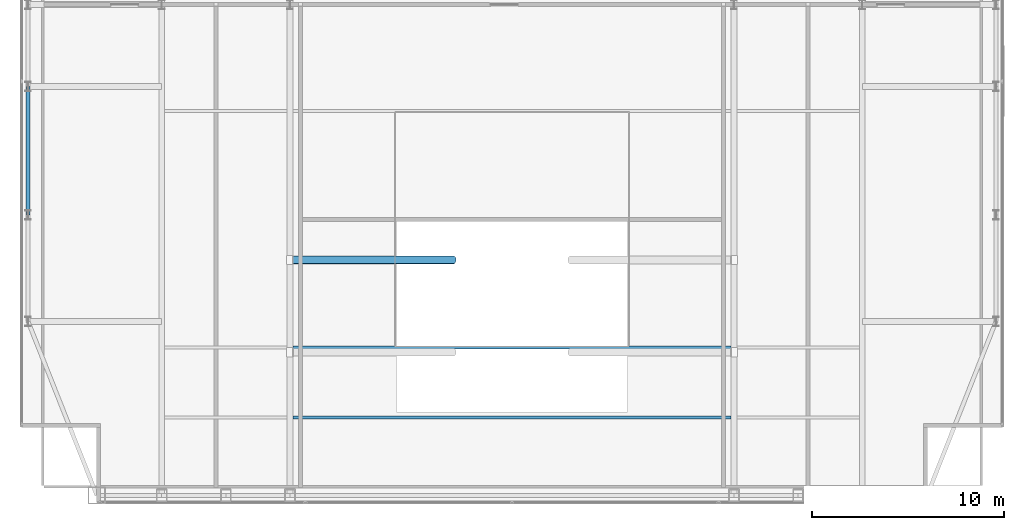
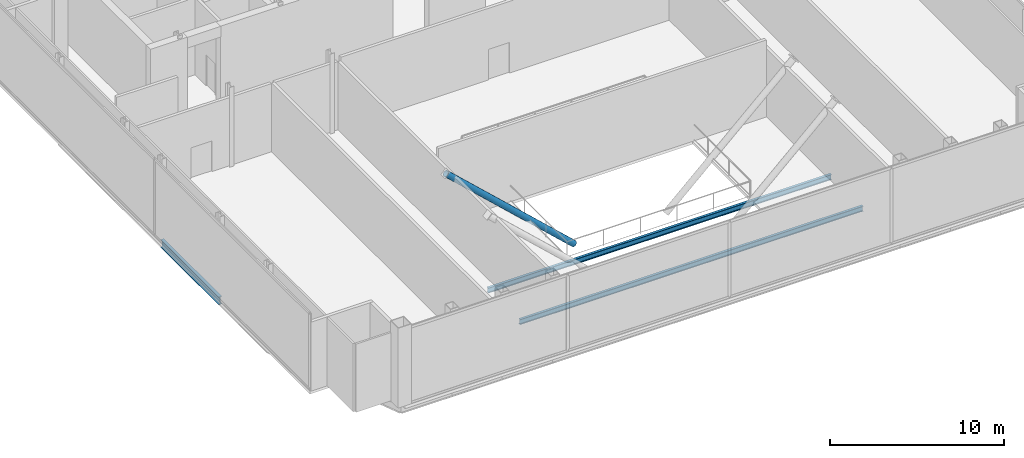
# One storey, part 7 of 23: 3 beams, 1 member.
"""IFC4 building model written with IfcOpenShell, lengths in metres."""

from ifc_helpers import new_model, si_unit, direction, frame, origin, origin_2d, place, context, subcontext, project, spatial, hollow_circle, i_section, extrude, material, material_profile, profile_set, type_object, element, save


model = new_model("IFC4")

# Units and contexts
model_context = context("Model", 3, precision=1e-05, world=origin(), true_north=direction((0.0, 1.0)))
body_context = subcontext(model_context, "Body", "Model", "MODEL_VIEW")
ifc_project = project(units=[si_unit("LENGTHUNIT", "METRE"), si_unit("AREAUNIT", "SQUARE_METRE"), si_unit("VOLUMEUNIT", "CUBIC_METRE"), si_unit("PLANEANGLEUNIT", "RADIAN"), si_unit("MASSUNIT", "GRAM", prefix="KILO")], contexts=[model_context])

# Site, building, storey
site_placement = place(None, origin())
site = spatial("IfcSite", under=ifc_project, at=site_placement, CompositionType="ELEMENT")
building_placement = place(site_placement, origin())
building = spatial("IfcBuilding", under=site, at=building_placement, Name="Khoronbel Lancet Exchange", CompositionType="ELEMENT")
storey_placement = place(building_placement, frame((0.0, 0.0, 356.199951171875)))
storey = spatial("IfcBuildingStorey", under=building, at=storey_placement, Name="L92", CompositionType="ELEMENT", Elevation=356.199951171875)

# Beams
ifc_material = material(Name="Steel S355", Category="steel")
ifc_material_profile_1 = material_profile(ifc_material, i_section(OverallWidth=0.169921875, OverallDepth=0.360107421875, WebThickness=0.008056640625, FlangeThickness=0.0126953125, at=origin_2d()), Name="IPE 360")
ifc_profile_set_1 = profile_set([ifc_material_profile_1], Name="Steel S355")
beam_type_1 = type_object("IfcBeamType", Name="BM-BJ6", PredefinedType="JOIST", material=ifc_profile_set_1)
for number, where, z_axis, x_axis, name in (
    (1, (25.050048828125, 14.199951171875, -0.3798828125), (1.0, 0.0, 0.0), (0.0, 1.0, 0.0), "Level L92 secondary composite joist J02"),
    (2, (25.050048828125, 17.85009765625, -0.3798828125), (1.0, 0.0, 0.0), (0.0, 1.0, 0.0), "Level L92 secondary composite joist J05"),
):
    element("IfcBeam", number, at=place(storey_placement, frame(where, z_axis=z_axis, x_axis=x_axis)), inside=storey, type_object=beam_type_1, Name=name, PredefinedType="JOIST", context=body_context, shape_type="SweptSolid", body=[
        extrude(i_section(OverallWidth=0.169921875, OverallDepth=0.360107421875, WebThickness=0.008056640625, FlangeThickness=0.0126953125, at=origin_2d()), origin(), (0.0, 0.0, 1.0), 22.800048828125),
    ])
ifc_material_profile_2 = material_profile(ifc_material, i_section(OverallWidth=0.2099609375, OverallDepth=0.550048828125, WebThickness=0.010986328125, FlangeThickness=0.01708984375, at=origin_2d()), Name="IPE 550")
ifc_profile_set_2 = profile_set([ifc_material_profile_2], Name="Steel S355")
beam_type_2 = type_object("IfcBeamType", Name="BM-BSP3", PredefinedType="SPANDREL", material=ifc_profile_set_2)
beam_placement = place(storey_placement, frame((11.27001953125, 31.425048828125, -0.474853515625), z_axis=(0.0, -1.0, 0.0), x_axis=(1.0, 0.0, 0.0)))
element("IfcBeam", 3, at=beam_placement, inside=storey, type_object=beam_type_2, Name="Level L92 perimeter spandrel beam SP17", PredefinedType="SPANDREL", context=body_context, shape_type="SweptSolid", body=[
    extrude(i_section(OverallWidth=0.2099609375, OverallDepth=0.550048828125, WebThickness=0.010986328125, FlangeThickness=0.01708984375, at=origin_2d()), origin(), (0.0, 0.0, 1.0), 6.675048828125),
])

# Member
ifc_material_profile_3 = material_profile(ifc_material, hollow_circle(Radius=0.203125, WallThickness=0.02001953125, at=origin_2d()), Name="CHS 406.4x20")
ifc_profile_set_3 = profile_set([ifc_material_profile_3], Name="Steel S355")
member_type = type_object("IfcMemberType", Name="MEM-STR2", PredefinedType="STRUT", material=ifc_profile_set_3)
member_placement = place(storey_placement, frame((33.39990234375, 22.39990234375, -2.800048828125), z_axis=(-0.732480198105, 0.0, 0.680788336698), x_axis=(0.0, -1.0, 0.0)))
element("IfcMember", 4, at=member_placement, inside=storey, type_object=member_type, Name="Tuned mass damper pendulum hanger strut 4", PredefinedType="STRUT", context=body_context, shape_type="SweptSolid", body=[
    extrude(hollow_circle(Radius=0.203125, WallThickness=0.02001953125, at=origin_2d()), origin(), (0.0, 0.0, 1.0), 11.6044921875),
])

save(model, "model.ifc")
